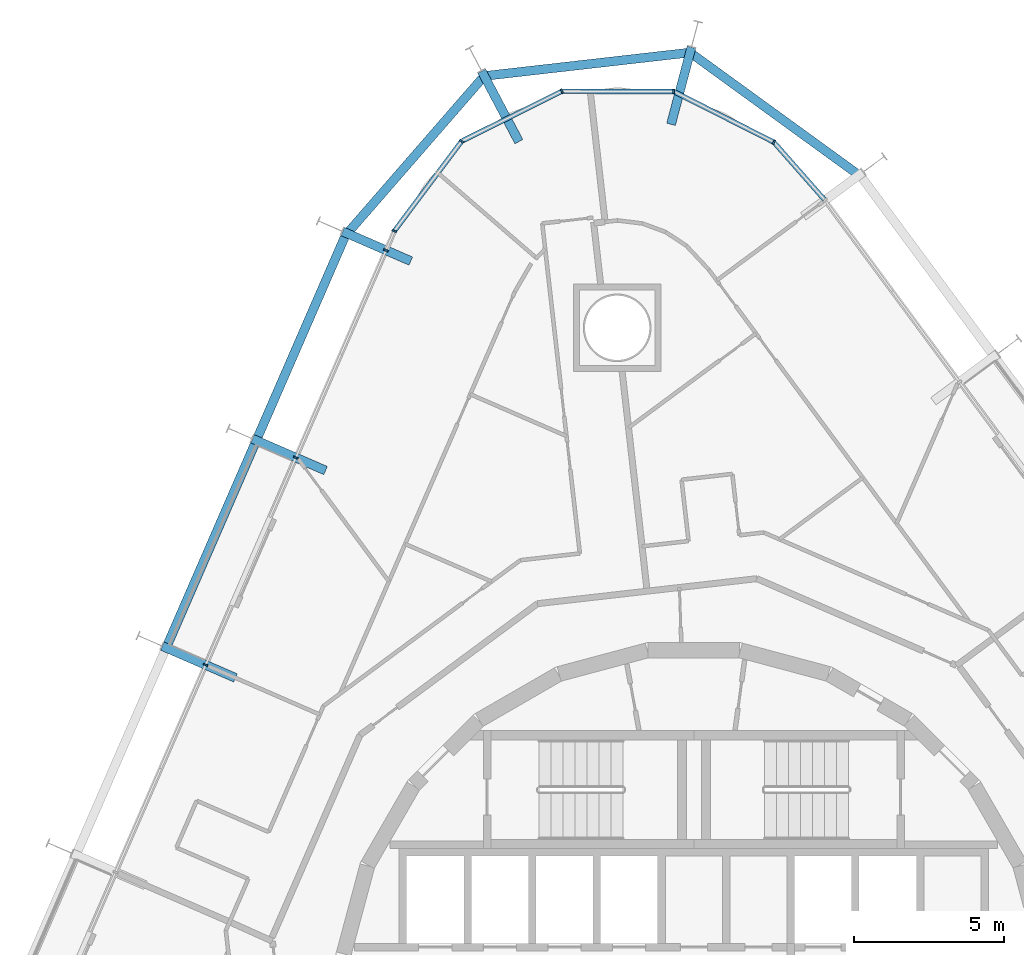
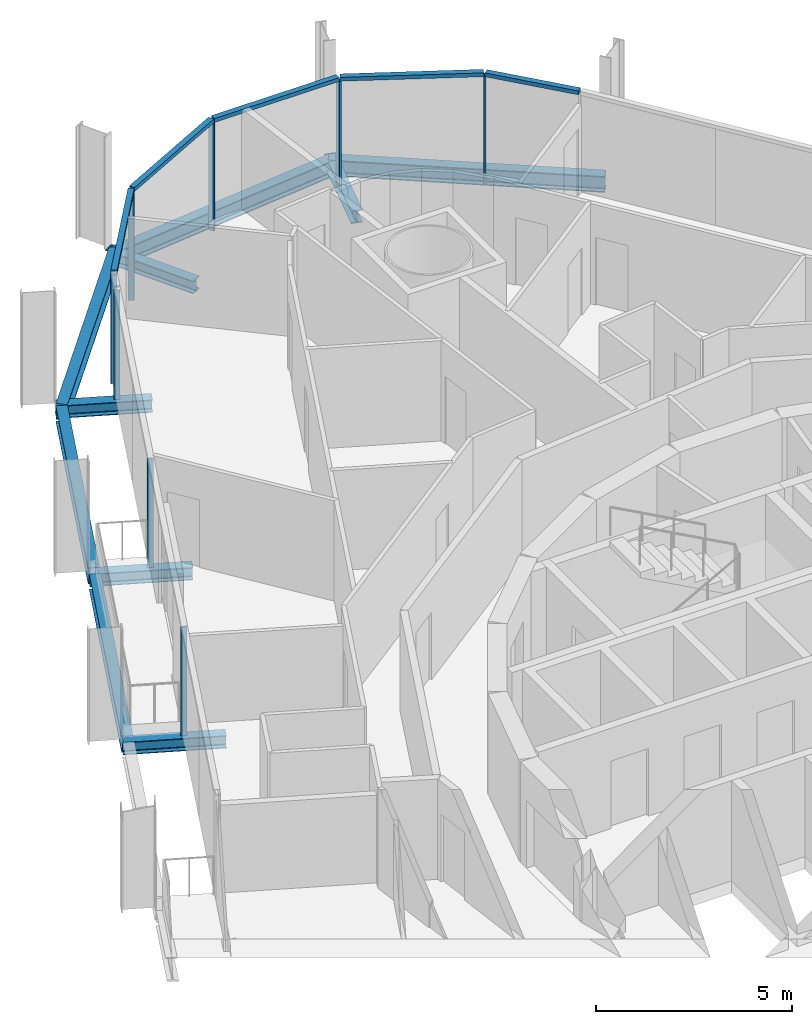
# One storey, part 9 of 21: 13 members, 10 beams, 2 elements without a shape of their own.
"""IFC4 building model written with IfcOpenShell, lengths in metres."""

from ifc_helpers import new_model, si_unit, direction, frame, origin, origin_2d, place, context, subcontext, project, spatial, rectangle, i_section, extrude, material, layer, layer_set, material_profile, profile_set, type_object, element, aggregate, save


model = new_model("IFC4")

# Units and contexts
model_context = context("Model", 3, precision=1e-05, world=origin(), true_north=direction((0.0, 1.0)))
body_context = subcontext(model_context, "Body", "Model", "MODEL_VIEW")
ifc_project = project(units=[si_unit("LENGTHUNIT", "METRE"), si_unit("AREAUNIT", "SQUARE_METRE"), si_unit("VOLUMEUNIT", "CUBIC_METRE"), si_unit("PLANEANGLEUNIT", "RADIAN"), si_unit("MASSUNIT", "GRAM", prefix="KILO")], contexts=[model_context])

# Site, building, storey
site_placement = place(None, origin())
site = spatial("IfcSite", under=ifc_project, at=site_placement, CompositionType="ELEMENT")
building_placement = place(site_placement, origin())
building = spatial("IfcBuilding", under=site, at=building_placement, Name="Spindle Arch Residences", CompositionType="ELEMENT")
storey_placement = place(building_placement, frame((0.0, 0.0, 97.699951171875)))
storey = spatial("IfcBuildingStorey", under=building, at=storey_placement, Name="L23", CompositionType="ELEMENT", Elevation=97.699951171875)

# Curtain wall, members
ifc_material_1 = material(Name="Aluminium bronze unitised frame with tinted glass", Category="aluminium")
ifc_layer_1 = layer(ifc_material_1, 0.159912109375)
ifc_layer_set_1 = layer_set([ifc_layer_1], Name="CW-D corner wall on the fillet arcs")
curtain_wall_type_1 = type_object("IfcCurtainWallType", Name="CW-D corner wall on the fillet arcs", PredefinedType="NOTDEFINED", material=ifc_layer_set_1)
curtain_wall_1_placement = place(storey_placement, origin())
curtain_wall_1 = element("IfcCurtainWall", 1, at=curtain_wall_1_placement, inside=storey, type_object=curtain_wall_type_1, Name="CW-D L23 run 3", PredefinedType="NOTDEFINED")
ifc_material_2 = material(Name="Aluminium bronze anodised mullion", Category="aluminium")
ifc_material_profile_1 = material_profile(ifc_material_2, rectangle(XDim=0.159912109375, YDim=0.06005859375, at=origin_2d()), Name="MU 60x160")
ifc_profile_set_1 = profile_set([ifc_material_profile_1], Name="Aluminium bronze anodised mullion")
member_type_1 = type_object("IfcMemberType", Name="Bronze mullion 60x160", PredefinedType="MULLION", material=ifc_profile_set_1)
member_1_placement = place(storey_placement, frame((2.662841796875, 28.544921875, -0.3798828125), z_axis=(0.0, 0.0, 1.0), x_axis=(-0.451396753797, -0.892323355439, 0.0)))
member_1 = element("IfcMember", 2, at=member_1_placement, type_object=member_type_1, Name="CW-D mullion 01", PredefinedType="MULLION", context=body_context, shape_type="SweptSolid", body=[
    extrude(rectangle(XDim=0.159912109375, YDim=0.06005859375, at=origin_2d()), origin(), (0.0, 0.0, 1.0), 3.3798828125),
])
member_2_placement = place(storey_placement, frame((-0.66259765625, 30.22705078125, -0.3798828125), z_axis=(0.0, 0.0, 1.0), x_axis=(-0.002908881551, -0.999995769195, 0.0)))
member_2 = element("IfcMember", 3, at=member_2_placement, type_object=member_type_1, Name="CW-D mullion 02", PredefinedType="MULLION", context=body_context, shape_type="SweptSolid", body=[
    extrude(rectangle(XDim=0.159912109375, YDim=0.06005859375, at=origin_2d()), origin(), (0.0, 0.0, 1.0), 3.3798828125),
])
member_3_placement = place(storey_placement, frame((-4.38916015625, 30.23779296875, -0.3798828125), z_axis=(0.0, 0.0, 1.0), x_axis=(0.446197812813, -0.89493436175, 0.0)))
member_3 = element("IfcMember", 4, at=member_3_placement, type_object=member_type_1, Name="CW-D mullion 03", PredefinedType="MULLION", context=body_context, shape_type="SweptSolid", body=[
    extrude(rectangle(XDim=0.159912109375, YDim=0.06005859375, at=origin_2d()), origin(), (0.0, 0.0, 1.0), 3.3798828125),
])
member_4_placement = place(storey_placement, frame((-7.724365234375, 28.574951171875, -0.3798828125), z_axis=(0.0, 0.0, 1.0), x_axis=(0.800382739909, -0.599489340736, 0.0)))
member_4 = element("IfcMember", 5, at=member_4_placement, type_object=member_type_1, Name="CW-D mullion 04", PredefinedType="MULLION", context=body_context, shape_type="SweptSolid", body=[
    extrude(rectangle(XDim=0.159912109375, YDim=0.06005859375, at=origin_2d()), origin(), (0.0, 0.0, 1.0), 3.3798828125),
])
member_5_placement = place(storey_placement, frame((-9.958740234375, 25.59228515625, -0.3798828125), z_axis=(0.0, 0.0, 1.0), x_axis=(0.917060074385, -0.398749068925, 0.0)))
member_5 = element("IfcMember", 6, at=member_5_placement, type_object=member_type_1, Name="CW-D mullion 05", PredefinedType="MULLION", context=body_context, shape_type="SweptSolid", body=[
    extrude(rectangle(XDim=0.159912109375, YDim=0.06005859375, at=origin_2d()), origin(), (0.0, 0.0, 1.0), 3.3798828125),
])

ifc_material_3 = material(Name="Aluminium bronze unitised frame with tinted glass", Category="aluminium")
ifc_layer_2 = layer(ifc_material_3, 0.159912109375)
ifc_layer_set_2 = layer_set([ifc_layer_2], Name="CW-C typical residential unitised wall")
curtain_wall_type_2 = type_object("IfcCurtainWallType", Name="CW-C typical residential unitised wall", PredefinedType="NOTDEFINED", material=ifc_layer_set_2)
curtain_wall_2_placement = place(storey_placement, origin())
curtain_wall_2 = element("IfcCurtainWall", 7, at=curtain_wall_2_placement, inside=storey, type_object=curtain_wall_type_2, Name="CW-C L23 run 4", PredefinedType="NOTDEFINED")
member_6_placement = place(storey_placement, frame((-10.23828125, 24.94873046875, -0.3798828125), z_axis=(0.0, 0.0, 1.0), x_axis=(0.917060074385, -0.398749068925, 0.0)))
member_6 = element("IfcMember", 8, at=member_6_placement, type_object=member_type_1, Name="CW-C mullion 13", PredefinedType="MULLION", context=body_context, shape_type="SweptSolid", body=[
    extrude(rectangle(XDim=0.159912109375, YDim=0.06005859375, at=origin_2d()), origin(), (0.0, 0.0, 1.0), 3.3798828125),
])
member_7_placement = place(storey_placement, frame((-13.236572265625, 18.0537109375, -0.3798828125), z_axis=(0.0, 0.0, 1.0), x_axis=(0.917060074385, -0.398749068925, 0.0)))
member_7 = element("IfcMember", 9, at=member_7_placement, type_object=member_type_1, Name="CW-C mullion 14", PredefinedType="MULLION", context=body_context, shape_type="SweptSolid", body=[
    extrude(rectangle(XDim=0.159912109375, YDim=0.06005859375, at=origin_2d()), origin(), (0.0, 0.0, 1.0), 3.3798828125),
])
member_8_placement = place(storey_placement, frame((-16.234619140625, 11.158447265625, -0.3798828125), z_axis=(0.0, 0.0, 1.0), x_axis=(0.917060074385, -0.398749068925, 0.0)))
member_8 = element("IfcMember", 10, at=member_8_placement, type_object=member_type_1, Name="CW-C mullion 15", PredefinedType="MULLION", context=body_context, shape_type="SweptSolid", body=[
    extrude(rectangle(XDim=0.159912109375, YDim=0.06005859375, at=origin_2d()), origin(), (0.0, 0.0, 1.0), 3.3798828125),
])
aggregate(curtain_wall_2, [member_6, member_7, member_8])

# Member
ifc_material_4 = material(Name="Aluminium bronze anodised transom", Category="aluminium")
ifc_material_profile_2 = material_profile(ifc_material_4, rectangle(XDim=0.159912109375, YDim=0.1201171875, at=origin_2d()), Name="TR 120x160")
ifc_profile_set_2 = profile_set([ifc_material_profile_2], Name="Aluminium bronze anodised transom")
member_type_2 = type_object("IfcMemberType", Name="Bronze transom 120x160", PredefinedType="USERDEFINED", material=ifc_profile_set_2)
member_9_placement = place(storey_placement, frame((4.34375, 26.635009765625, 3.06005859375), z_axis=(-0.660660732339, 0.750684618695, 0.0), x_axis=(-0.750684618695, -0.660660732339, 0.0)))
member_9 = element("IfcMember", 11, at=member_9_placement, type_object=member_type_2, Name="CW-D transom 00", ObjectType="TRANSOM", PredefinedType="USERDEFINED", context=body_context, shape_type="SweptSolid", body=[
    extrude(rectangle(XDim=0.159912109375, YDim=0.1201171875, at=origin_2d()), origin(), (0.0, 0.0, 1.0), 2.513916015625),
])

member_10_placement = place(storey_placement, frame((2.63623046875, 28.558349609375, 3.06005859375), z_axis=(-0.892313345479, 0.45141654099, 0.0), x_axis=(-0.45141654099, -0.892313345479, 0.0)))
member_10 = element("IfcMember", 12, at=member_10_placement, type_object=member_type_2, Name="CW-D transom 01", ObjectType="TRANSOM", PredefinedType="USERDEFINED", context=body_context, shape_type="SweptSolid", body=[
    extrude(rectangle(XDim=0.159912109375, YDim=0.1201171875, at=origin_2d()), origin(), (0.0, 0.0, 1.0), 3.666748046875),
])

member_11_placement = place(storey_placement, frame((-0.692626953125, 30.22705078125, 3.06005859375), z_axis=(-0.999995708684, 0.002929609906, 0.0), x_axis=(-0.002929609906, -0.999995708684, 0.0)))
member_11 = element("IfcMember", 13, at=member_11_placement, type_object=member_type_2, Name="CW-D transom 02", ObjectType="TRANSOM", PredefinedType="USERDEFINED", context=body_context, shape_type="SweptSolid", body=[
    extrude(rectangle(XDim=0.159912109375, YDim=0.1201171875, at=origin_2d()), origin(), (0.0, 0.0, 1.0), 3.666748046875),
])

member_12_placement = place(storey_placement, frame((-4.416015625, 30.224609375, 3.06005859375), z_axis=(-0.894919349856, -0.446227920745, 0.0), x_axis=(0.446227920745, -0.894919349856, 0.0)))
member_12 = element("IfcMember", 14, at=member_12_placement, type_object=member_type_2, Name="CW-D transom 03", ObjectType="TRANSOM", PredefinedType="USERDEFINED", context=body_context, shape_type="SweptSolid", body=[
    extrude(rectangle(XDim=0.159912109375, YDim=0.1201171875, at=origin_2d()), origin(), (0.0, 0.0, 1.0), 3.666748046875),
])

member_13_placement = place(storey_placement, frame((-7.742431640625, 28.551025390625, 3.06005859375), z_axis=(-0.599499190139, -0.800375362579, 0.0), x_axis=(0.800375362579, -0.599499190139, 0.0)))
member_13 = element("IfcMember", 15, at=member_13_placement, type_object=member_type_2, Name="CW-D transom 04", ObjectType="TRANSOM", PredefinedType="USERDEFINED", context=body_context, shape_type="SweptSolid", body=[
    extrude(rectangle(XDim=0.159912109375, YDim=0.1201171875, at=origin_2d()), origin(), (0.0, 0.0, 1.0), 3.666748046875),
])

aggregate(curtain_wall_1, [member_9, member_1, member_10, member_2, member_11, member_3, member_12, member_4, member_13, member_5])

# Beams
ifc_material_5 = material(Name="Steel S460ML, intumescent coating R 120", Category="steel")
ifc_material_profile_3 = material_profile(ifc_material_5, i_section(OverallWidth=0.300048828125, OverallDepth=0.5, WebThickness=0.014404296875, FlangeThickness=0.028076171875, FilletRadius=0.027099609375, at=origin_2d()), Name="HEB 500")
ifc_profile_set_3 = profile_set([ifc_material_profile_3], Name="Steel S460ML, intumescent coating R 120")
beam_type_1 = type_object("IfcBeamType", Name="Exoskeleton edge beam HEB 500", PredefinedType="BEAM", material=ifc_profile_set_3)
beam_1_placement = place(storey_placement, frame((5.552734375, 27.40478515625, -0.6298828125), z_axis=(-0.809296745618, 0.587400014923, 0.0), x_axis=(-0.587400014923, -0.809296745618, 0.0)))
element("IfcBeam", 16, at=beam_1_placement, inside=storey, type_object=beam_type_1, Name="Exoskeleton edge beam 11", PredefinedType="BEAM", context=body_context, shape_type="SweptSolid", body=[
    extrude(i_section(OverallWidth=0.300048828125, OverallDepth=0.5, WebThickness=0.014404296875, FlangeThickness=0.028076171875, FilletRadius=0.027099609375, at=origin_2d()), origin(), (0.0, 0.0, 1.0), 7.094482421875),
])
beam_2_placement = place(storey_placement, frame((-0.02685546875, 31.5361328125, -0.6298828125), z_axis=(-0.993571479585, -0.11320651463, 0.0), x_axis=(0.11320651463, -0.993571479585, 0.0)))
element("IfcBeam", 17, at=beam_2_placement, inside=storey, type_object=beam_type_1, Name="Exoskeleton edge beam 12", PredefinedType="BEAM", context=body_context, shape_type="SweptSolid", body=[
    extrude(i_section(OverallWidth=0.300048828125, OverallDepth=0.5, WebThickness=0.014404296875, FlangeThickness=0.028076171875, FilletRadius=0.027099609375, at=origin_2d()), origin(), (0.0, 0.0, 1.0), 7.086669921875),
])
beam_3_placement = place(storey_placement, frame((-6.918212890625, 30.80517578125, -0.6298828125), z_axis=(-0.656418952224, -0.754396552989, 0.0), x_axis=(0.754396552989, -0.656418952224, 0.0)))
element("IfcBeam", 18, at=beam_3_placement, inside=storey, type_object=beam_type_1, Name="Exoskeleton edge beam 13", PredefinedType="BEAM", context=body_context, shape_type="SweptSolid", body=[
    extrude(i_section(OverallWidth=0.300048828125, OverallDepth=0.5, WebThickness=0.014404296875, FlangeThickness=0.028076171875, FilletRadius=0.027099609375, at=origin_2d()), origin(), (0.0, 0.0, 1.0), 7.09423828125),
])
beam_4_placement = place(storey_placement, frame((-11.604248046875, 25.40087890625, -0.6298828125), z_axis=(-0.398772846535, -0.91704973522, 0.0), x_axis=(0.91704973522, -0.398772846535, 0.0)))
element("IfcBeam", 19, at=beam_4_placement, inside=storey, type_object=beam_type_1, Name="Exoskeleton edge beam 14", PredefinedType="BEAM", context=body_context, shape_type="SweptSolid", body=[
    extrude(i_section(OverallWidth=0.300048828125, OverallDepth=0.5, WebThickness=0.014404296875, FlangeThickness=0.028076171875, FilletRadius=0.027099609375, at=origin_2d()), origin(), (0.0, 0.0, 1.0), 7.258544921875),
])
beam_5_placement = place(storey_placement, frame((-14.602294921875, 18.505859375, -0.6298828125), z_axis=(-0.398760546857, -0.917055083553, 0.0), x_axis=(0.917055083553, -0.398760546857, 0.0)))
element("IfcBeam", 20, at=beam_5_placement, inside=storey, type_object=beam_type_1, Name="Exoskeleton edge beam 15", PredefinedType="BEAM", context=body_context, shape_type="SweptSolid", body=[
    extrude(i_section(OverallWidth=0.300048828125, OverallDepth=0.5, WebThickness=0.014404296875, FlangeThickness=0.028076171875, FilletRadius=0.027099609375, at=origin_2d()), origin(), (0.0, 0.0, 1.0), 7.2587890625),
])
ifc_material_6 = material(Name="Steel S460ML, intumescent coating R 120", Category="steel")
ifc_material_profile_4 = material_profile(ifc_material_6, i_section(OverallWidth=0.300048828125, OverallDepth=0.389892578125, WebThickness=0.010986328125, FlangeThickness=0.01904296875, FilletRadius=0.027099609375, at=origin_2d()), Name="HEA 400")
ifc_profile_set_4 = profile_set([ifc_material_profile_4], Name="Steel S460ML, intumescent coating R 120")
beam_type_2 = type_object("IfcBeamType", Name="Floor outrigger HEA 400", PredefinedType="BEAM", material=ifc_profile_set_4)
beam_6_placement = place(storey_placement, frame((-0.079345703125, 31.698974609375, -0.574951171875), z_axis=(-0.255930543214, -0.966695172767, 0.0), x_axis=(0.966695172767, -0.255930543214, 0.0)))
element("IfcBeam", 21, at=beam_6_placement, inside=storey, type_object=beam_type_2, Name="Floor outrigger 12", PredefinedType="BEAM", context=body_context, shape_type="SweptSolid", body=[
    extrude(i_section(OverallWidth=0.300048828125, OverallDepth=0.389892578125, WebThickness=0.010986328125, FlangeThickness=0.01904296875, FilletRadius=0.027099609375, at=origin_2d()), origin(), (0.0, 0.0, 1.0), 2.650146484375),
])
beam_7_placement = place(storey_placement, frame((-7.05322265625, 30.904296875, -0.574951171875), z_axis=(0.466748611055, -0.88439003504, 0.0), x_axis=(0.88439003504, 0.466748611055, 0.0)))
element("IfcBeam", 22, at=beam_7_placement, inside=storey, type_object=beam_type_2, Name="Floor outrigger 13", PredefinedType="BEAM", context=body_context, shape_type="SweptSolid", body=[
    extrude(i_section(OverallWidth=0.300048828125, OverallDepth=0.389892578125, WebThickness=0.010986328125, FlangeThickness=0.01904296875, FilletRadius=0.027099609375, at=origin_2d()), origin(), (0.0, 0.0, 1.0), 2.64990234375),
])
beam_8_placement = place(storey_placement, frame((-11.677978515625, 25.574951171875, -0.574951171875), z_axis=(0.917041778062, -0.398791144948, 0.0), x_axis=(0.398791144948, 0.917041778062, 0.0)))
element("IfcBeam", 23, at=beam_8_placement, inside=storey, type_object=beam_type_2, Name="Floor outrigger 14", PredefinedType="BEAM", context=body_context, shape_type="SweptSolid", body=[
    extrude(i_section(OverallWidth=0.300048828125, OverallDepth=0.389892578125, WebThickness=0.010986328125, FlangeThickness=0.01904296875, FilletRadius=0.027099609375, at=origin_2d()), origin(), (0.0, 0.0, 1.0), 2.470947265625),
])
for number, where, z_axis, x_axis, name in (
    (24, (-14.67626953125, 18.6796875, -0.574951171875), (0.917064197317, -0.398739586698, 0.0), (0.398739586698, 0.917064197317, 0.0), "Floor outrigger 15"),
    (25, (-17.67431640625, 11.784423828125, -0.574951171875), (0.917064197317, -0.398739586698, 0.0), (0.398739586698, 0.917064197317, 0.0), "Floor outrigger 16"),
):
    element("IfcBeam", number, at=place(storey_placement, frame(where, z_axis=z_axis, x_axis=x_axis)), inside=storey, type_object=beam_type_2, Name=name, PredefinedType="BEAM", context=body_context, shape_type="SweptSolid", body=[
        extrude(i_section(OverallWidth=0.300048828125, OverallDepth=0.389892578125, WebThickness=0.010986328125, FlangeThickness=0.01904296875, FilletRadius=0.027099609375, at=origin_2d()), origin(), (0.0, 0.0, 1.0), 2.64990234375),
    ])

save(model, "model.ifc")
